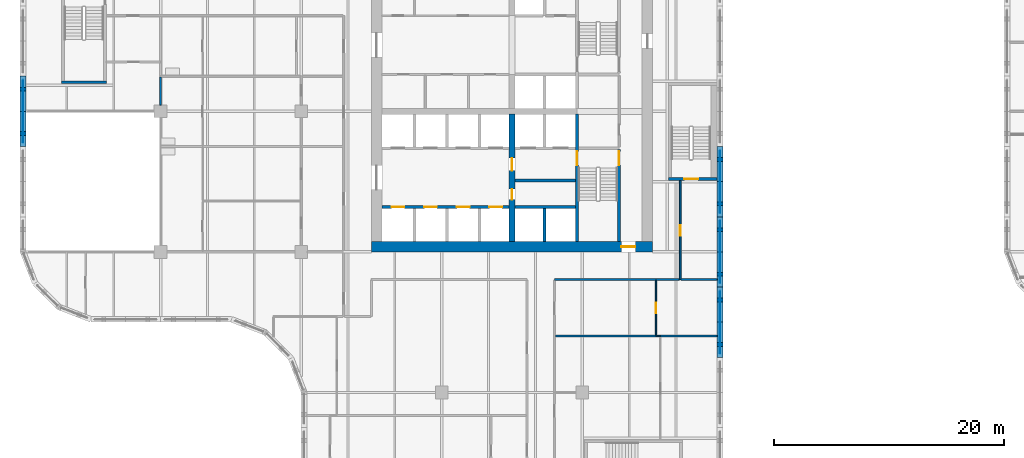
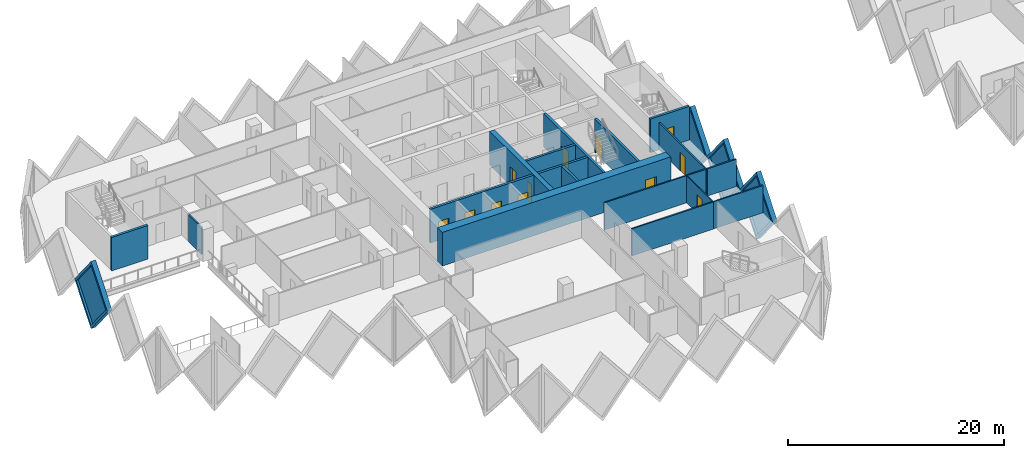
# One storey, part 7 of 20: 22 walls, 12 doors, 4 plates, 16 openings.
"""IFC4 building model written with IfcOpenShell, lengths in metres."""

from ifc_helpers import new_model, si_unit, direction, frame, frame_2d, origin, place, context, subcontext, project, spatial, polyline, rectangle, outline, extrude, faceted_brep, source, transform, mapped, material, layer, layer_set, type_object, element, fill, save


model = new_model("IFC4")

# Units and contexts
model_context = context("Model", 3, precision=1e-05, world=origin(), true_north=direction((0.0, 1.0)))
body_context = subcontext(model_context, "Body", "Model", "MODEL_VIEW")
ifc_project = project(units=[si_unit("LENGTHUNIT", "METRE"), si_unit("AREAUNIT", "SQUARE_METRE"), si_unit("VOLUMEUNIT", "CUBIC_METRE"), si_unit("PLANEANGLEUNIT", "RADIAN"), si_unit("MASSUNIT", "GRAM", prefix="KILO")], contexts=[model_context])

# Site, building, storey
site_placement = place(None, origin())
site = spatial("IfcSite", under=ifc_project, at=site_placement, CompositionType="ELEMENT")
building_placement = place(site_placement, origin())
building = spatial("IfcBuilding", under=site, at=building_placement, Name="Tessera Gate Towers", CompositionType="ELEMENT")
storey_placement = place(building_placement, frame((0.0, 0.0, 52.39990234375)))
storey = spatial("IfcBuildingStorey", under=building, at=storey_placement, Name="L12", CompositionType="ELEMENT", Elevation=52.39990234375)

# Wall, opening, door
ifc_material_1 = material(Name="Concrete C40/50", Category="concrete")
ifc_layer_1 = layer(ifc_material_1, 0.25)
ifc_layer_set_1 = layer_set([ifc_layer_1], Name="CORE ENCLOSURE WALL 250")
wall_type_1 = type_object("IfcWallType", Name="CORE ENCLOSURE WALL 250", PredefinedType="SOLIDWALL", material=ifc_layer_set_1)
wall_1_placement = place(storey_placement, frame((48.35009765625, 36.35009765625, 0.0), z_axis=(0.0, 0.0, 1.0), x_axis=(0.0, -1.0, 0.0)))
wall_1 = element("IfcWall", 1, at=wall_1_placement, inside=storey, type_object=wall_type_1, Name="L12 shaft and stair enclosure wall", PredefinedType="SOLIDWALL", context=body_context, shape_type="SweptSolid", body=[
    extrude(rectangle(XDim=11.050048828125, YDim=0.25, at=frame_2d((5.52490234375, 0.0))), origin(), (0.0, 0.0, 1.0), 3.800048828125),
])
shared_shape_1 = source(origin(), body_context, "Body", "SweptSolid", [
    extrude(rectangle(XDim=1.199951171875, YDim=2.10009765625, at=frame_2d((0.60009765625, 1.050048828125))), frame((0.0, 0.135009765625, 0.0), z_axis=(0.0, -1.0, 0.0), x_axis=(1.0, 0.0, 0.0)), (0.0, 0.0, 1.0), 0.27001953125),
])
opening_1_placement = place(wall_1_placement, frame((3.22509765625, 0.0, 0.0)))
opening_1 = element("IfcOpeningElement", 2, at=opening_1_placement, cuts=wall_1, Name="Opening SD-ST1-1", PredefinedType="OPENING", context=body_context, shape_type="MappedRepresentation", body=[
    mapped(shared_shape_1, transform((0.0, 0.0, 0.0), scale=1.0)),
])
ifc_material_2 = material(Name="Hollow steel fire door", Category="steel")
door_type_1 = type_object("IfcDoorType", Name="CORE DOOR SD 1200x2100", OperationType="NOTDEFINED", PredefinedType="DOOR", material=ifc_material_2)
shared_shape_2 = source(origin(), body_context, "Body", "SweptSolid", [
    extrude(rectangle(XDim=1.199951171875, YDim=2.10009765625, at=frame_2d((0.60009765625, 1.050048828125))), frame((0.0, 0.02490234375, 0.0), z_axis=(0.0, -1.0, 0.0), x_axis=(1.0, 0.0, 0.0)), (0.0, 0.0, 1.0), 0.050048828125),
])
door_1_placement = place(opening_1_placement, origin())
door_1 = element("IfcDoor", 3, at=door_1_placement, inside=storey, type_object=door_type_1, Name="Stair door", OperationType="SINGLE_SWING_LEFT", OverallHeight=2.10009765625, OverallWidth=1.199951171875, PredefinedType="DOOR", context=body_context, shape_type="MappedRepresentation", body=[
    mapped(shared_shape_2, transform((0.0, 0.0, 0.0), scale=1.0)),
])
fill(opening_1, door_1)

# Wall, openings, doors
wall_2_placement = place(storey_placement, frame((31.39990234375, 28.300048828125, 0.0), z_axis=(0.0, 0.0, 1.0), x_axis=(1.0, 0.0, 0.0)))
wall_2 = element("IfcWall", 4, at=wall_2_placement, inside=storey, type_object=wall_type_1, Name="L12 shaft and stair enclosure wall", PredefinedType="SOLIDWALL", context=body_context, shape_type="SweptSolid", body=[
    extrude(rectangle(XDim=11.050048828125, YDim=0.25, at=frame_2d((5.52490234375, 0.0))), origin(), (0.0, 0.0, 1.0), 3.800048828125),
])
shared_shape_3 = source(origin(), body_context, "Body", "SweptSolid", [
    extrude(rectangle(XDim=1.10009765625, YDim=2.10009765625, at=frame_2d((0.550048828125, 1.050048828125))), frame((0.0, 0.135009765625, 0.0), z_axis=(0.0, -1.0, 0.0), x_axis=(1.0, 0.0, 0.0)), (0.0, 0.0, 1.0), 0.27001953125),
])
opening_2_placement = place(wall_2_placement, frame((0.862548828125, 0.0, 0.0)))
opening_2 = element("IfcOpeningElement", 5, at=opening_2_placement, cuts=wall_2, Name="Opening LD-LR1", PredefinedType="OPENING", context=body_context, shape_type="MappedRepresentation", body=[
    mapped(shared_shape_3, transform((0.0, 0.0, 0.0), scale=1.0)),
])
opening_3_placement = place(wall_2_placement, frame((3.6875, 0.0, 0.0)))
opening_3 = element("IfcOpeningElement", 6, at=opening_3_placement, cuts=wall_2, Name="Opening LD-LR2", PredefinedType="OPENING", context=body_context, shape_type="MappedRepresentation", body=[
    mapped(shared_shape_3, transform((0.0, 0.0, 0.0), scale=1.0)),
])
opening_4_placement = place(wall_2_placement, frame((6.512451171875, 0.0, 0.0)))
opening_4 = element("IfcOpeningElement", 7, at=opening_4_placement, cuts=wall_2, Name="Opening LD-LR3", PredefinedType="OPENING", context=body_context, shape_type="MappedRepresentation", body=[
    mapped(shared_shape_3, transform((0.0, 0.0, 0.0), scale=1.0)),
])
opening_5_placement = place(wall_2_placement, frame((9.33740234375, 0.0, 0.0)))
opening_5 = element("IfcOpeningElement", 8, at=opening_5_placement, cuts=wall_2, Name="Opening LD-LR4", PredefinedType="OPENING", context=body_context, shape_type="MappedRepresentation", body=[
    mapped(shared_shape_3, transform((0.0, 0.0, 0.0), scale=1.0)),
])
ifc_material_3 = material(Name="Stainless steel", Category="steel")
door_type_2 = type_object("IfcDoorType", Name="CORE DOOR LD 1100x2100", OperationType="DOUBLE_DOOR_SLIDING", PredefinedType="DOOR", material=ifc_material_3)
shared_shape_4 = source(origin(), body_context, "Body", "SweptSolid", [
    extrude(rectangle(XDim=1.10009765625, YDim=2.10009765625, at=frame_2d((0.550048828125, 1.050048828125))), frame((0.0, 0.02490234375, 0.0), z_axis=(0.0, -1.0, 0.0), x_axis=(1.0, 0.0, 0.0)), (0.0, 0.0, 1.0), 0.050048828125),
])
door_2_placement = place(opening_2_placement, origin())
door_2 = element("IfcDoor", 9, at=door_2_placement, inside=storey, type_object=door_type_2, Name="Landing door LR1 L12", OperationType="DOUBLE_DOOR_SLIDING", OverallHeight=2.10009765625, OverallWidth=1.10009765625, PredefinedType="DOOR", context=body_context, shape_type="MappedRepresentation", body=[
    mapped(shared_shape_4, transform((0.0, 0.0, 0.0), scale=1.0)),
])
fill(opening_2, door_2)
door_3_placement = place(opening_3_placement, origin())
door_3 = element("IfcDoor", 10, at=door_3_placement, inside=storey, type_object=door_type_2, Name="Landing door LR2 L12", OperationType="DOUBLE_DOOR_SLIDING", OverallHeight=2.10009765625, OverallWidth=1.10009765625, PredefinedType="DOOR", context=body_context, shape_type="MappedRepresentation", body=[
    mapped(shared_shape_4, transform((0.0, 0.0, 0.0), scale=1.0)),
])
fill(opening_3, door_3)
door_4_placement = place(opening_4_placement, origin())
door_4 = element("IfcDoor", 11, at=door_4_placement, inside=storey, type_object=door_type_2, Name="Landing door LR3 L12", OperationType="DOUBLE_DOOR_SLIDING", OverallHeight=2.10009765625, OverallWidth=1.10009765625, PredefinedType="DOOR", context=body_context, shape_type="MappedRepresentation", body=[
    mapped(shared_shape_4, transform((0.0, 0.0, 0.0), scale=1.0)),
])
fill(opening_4, door_4)
door_5_placement = place(opening_5_placement, origin())
door_5 = element("IfcDoor", 12, at=door_5_placement, inside=storey, type_object=door_type_2, Name="Landing door LR4 L12", OperationType="DOUBLE_DOOR_SLIDING", OverallHeight=2.10009765625, OverallWidth=1.10009765625, PredefinedType="DOOR", context=body_context, shape_type="MappedRepresentation", body=[
    mapped(shared_shape_4, transform((0.0, 0.0, 0.0), scale=1.0)),
])
fill(opening_5, door_5)

# Wall
wall_3_placement = place(storey_placement, frame((42.949951171875, 28.300048828125, 0.0), z_axis=(0.0, 0.0, 1.0), x_axis=(1.0, 0.0, 0.0)))
element("IfcWall", 13, at=wall_3_placement, inside=storey, type_object=wall_type_1, Name="L12 shaft and stair enclosure wall", PredefinedType="SOLIDWALL", context=body_context, shape_type="SweptSolid", body=[
    extrude(rectangle(XDim=5.275146484375, YDim=0.25, at=frame_2d((2.6376953125, 0.0))), origin(), (0.0, 0.0, 1.0), 3.800048828125),
])

# Wall, opening, door
wall_4_placement = place(storey_placement, frame((52.0, 25.300048828125, 0.0), z_axis=(0.0, 0.0, 1.0), x_axis=(0.0, 1.0, 0.0)))
wall_4 = element("IfcWall", 14, at=wall_4_placement, inside=storey, type_object=wall_type_1, Name="L12 shaft and stair enclosure wall", PredefinedType="SOLIDWALL", context=body_context, shape_type="SweptSolid", body=[
    extrude(rectangle(XDim=7.974853515625, YDim=0.25, at=frame_2d((3.9873046875, 0.0))), origin(), (0.0, 0.0, 1.0), 3.800048828125),
])
opening_6_placement = place(wall_4_placement, frame((6.625, 0.0, 0.0)))
opening_6 = element("IfcOpeningElement", 15, at=opening_6_placement, cuts=wall_4, Name="Opening SD-ST1-2", PredefinedType="OPENING", context=body_context, shape_type="MappedRepresentation", body=[
    mapped(shared_shape_1, transform((0.0, 0.0, 0.0), scale=1.0)),
])
door_6_placement = place(opening_6_placement, origin())
door_6 = element("IfcDoor", 16, at=door_6_placement, inside=storey, type_object=door_type_1, Name="Stair door", OperationType="SINGLE_SWING_RIGHT", OverallHeight=2.10009765625, OverallWidth=1.199951171875, PredefinedType="DOOR", context=body_context, shape_type="MappedRepresentation", body=[
    mapped(shared_shape_2, transform((0.0, 0.0, 0.0), scale=1.0)),
])
fill(opening_6, door_6)

# Walls
wall_5_placement = place(storey_placement, frame((42.949951171875, 30.60009765625, 0.0), z_axis=(0.0, 0.0, 1.0), x_axis=(1.0, 0.0, 0.0)))
element("IfcWall", 17, at=wall_5_placement, inside=storey, type_object=wall_type_1, Name="L12 shaft and stair enclosure wall", PredefinedType="SOLIDWALL", context=body_context, shape_type="SweptSolid", body=[
    extrude(rectangle(XDim=5.275146484375, YDim=0.25, at=frame_2d((2.6376953125, 0.0))), origin(), (0.0, 0.0, 1.0), 3.800048828125),
])
wall_6_placement = place(storey_placement, frame((45.52490234375, 25.300048828125, 0.0), z_axis=(0.0, 0.0, 1.0), x_axis=(0.0, 1.0, 0.0)))
element("IfcWall", 18, at=wall_6_placement, inside=storey, type_object=wall_type_1, Name="L12 shaft and stair enclosure wall", PredefinedType="SOLIDWALL", context=body_context, shape_type="SweptSolid", body=[
    extrude(rectangle(XDim=2.875, YDim=0.25, at=frame_2d((1.4375, 0.0))), origin(), (0.0, 0.0, 1.0), 3.800048828125),
])
wall_7_placement = place(storey_placement, frame((7.5, 39.125, 0.0), z_axis=(0.0, 0.0, 1.0), x_axis=(-1.0, 0.0, 0.0)))
element("IfcWall", 19, at=wall_7_placement, inside=storey, type_object=wall_type_1, Name="L12 ST3 enclosure wall", PredefinedType="SOLIDWALL", context=body_context, shape_type="SweptSolid", body=[
    extrude(rectangle(XDim=3.89990234375, YDim=0.25, at=frame_2d((1.949951171875, 0.0))), origin(), (0.0, 0.0, 1.0), 3.800048828125),
])

# Wall, opening, door
wall_8_placement = place(storey_placement, frame((60.5, 30.72509765625, 0.0), z_axis=(0.0, 0.0, 1.0), x_axis=(-1.0, 0.0, 0.0)))
wall_8 = element("IfcWall", 20, at=wall_8_placement, inside=storey, type_object=wall_type_1, Name="L12 ST5 enclosure wall", PredefinedType="SOLIDWALL", context=body_context, shape_type="SweptSolid", body=[
    extrude(rectangle(XDim=4.199951171875, YDim=0.25, at=frame_2d((2.10009765625, 0.0))), origin(), (0.0, 0.0, 1.0), 3.800048828125),
])
opening_7_placement = place(wall_8_placement, frame((1.64990234375, 0.0, 0.0)))
opening_7 = element("IfcOpeningElement", 21, at=opening_7_placement, cuts=wall_8, Name="Opening SD-ST5-1", PredefinedType="OPENING", context=body_context, shape_type="MappedRepresentation", body=[
    mapped(shared_shape_1, transform((0.0, 0.0, 0.0), scale=1.0)),
])
door_7_placement = place(opening_7_placement, origin())
door_7 = element("IfcDoor", 22, at=door_7_placement, inside=storey, type_object=door_type_1, Name="Stair door", OperationType="SINGLE_SWING_RIGHT", OverallHeight=2.10009765625, OverallWidth=1.199951171875, PredefinedType="DOOR", context=body_context, shape_type="MappedRepresentation", body=[
    mapped(shared_shape_2, transform((0.0, 0.0, 0.0), scale=1.0)),
])
fill(opening_7, door_7)

ifc_material_4 = material(Name="Concrete C70/85", Category="concrete")
ifc_layer_2 = layer(ifc_material_4, 0.89990234375)
ifc_layer_set_2 = layer_set([ifc_layer_2], Name="CORE SHEAR WALL 900 C70/85")
wall_type_2 = type_object("IfcWallType", Name="CORE SHEAR WALL 900 C70/85", PredefinedType="SHEAR", material=ifc_layer_set_2)
wall_9_placement = place(storey_placement, frame((54.89990234375, 24.85009765625, 0.0), z_axis=(0.0, 0.0, 1.0), x_axis=(-1.0, 0.0, 0.0)))
wall_9 = element("IfcWall", 23, at=wall_9_placement, inside=storey, type_object=wall_type_2, Name="Core wall S L12", PredefinedType="SHEAR", context=body_context, shape_type="SweptSolid", body=[
    extrude(rectangle(XDim=24.39990234375, YDim=0.89990234375, at=frame_2d((12.199951171875, 0.0))), origin(), (0.0, 0.0, 1.0), 3.800048828125),
])
shared_shape_5 = source(origin(), body_context, "Body", "SweptSolid", [
    extrude(rectangle(XDim=1.199951171875, YDim=2.10009765625, at=frame_2d((0.60009765625, 1.050048828125))), frame((0.0, 0.4599609375, 0.0), z_axis=(0.0, -1.0, 0.0), x_axis=(1.0, 0.0, 0.0)), (0.0, 0.0, 1.0), 0.919921875),
])
opening_8_placement = place(wall_9_placement, frame((1.5, 0.0, 0.0)))
opening_8 = element("IfcOpeningElement", 24, at=opening_8_placement, cuts=wall_9, Name="Opening ED-T1-09-01", PredefinedType="OPENING", context=body_context, shape_type="MappedRepresentation", body=[
    mapped(shared_shape_5, transform((0.0, 0.0, 0.0), scale=1.0)),
])
ifc_material_5 = material(Name="Hollow steel fire door", Category="steel")
door_type_3 = type_object("IfcDoorType", Name="CORE DOOR ED 1200x2100", OperationType="NOTDEFINED", PredefinedType="DOOR", material=ifc_material_5)
door_8_placement = place(opening_8_placement, origin())
door_8 = element("IfcDoor", 25, at=door_8_placement, inside=storey, type_object=door_type_3, Name="Core exit door", OperationType="SINGLE_SWING_LEFT", OverallHeight=2.10009765625, OverallWidth=1.199951171875, PredefinedType="DOOR", context=body_context, shape_type="MappedRepresentation", body=[
    mapped(shared_shape_2, transform((0.0, 0.0, 0.0), scale=1.0)),
])
fill(opening_8, door_8)

# Wall, openings, doors
ifc_material_6 = material(Name="Concrete C70/85", Category="concrete")
ifc_layer_3 = layer(ifc_material_6, 0.5)
ifc_layer_set_3 = layer_set([ifc_layer_3], Name="CORE SPINE WALL 500 C70/85")
wall_type_3 = type_object("IfcWallType", Name="CORE SPINE WALL 500 C70/85", PredefinedType="SHEAR", material=ifc_layer_set_3)
wall_10_placement = place(storey_placement, frame((42.699951171875, 36.35009765625, 0.0), z_axis=(0.0, 0.0, 1.0), x_axis=(0.0, -1.0, 0.0)))
wall_10 = element("IfcWall", 26, at=wall_10_placement, inside=storey, type_object=wall_type_3, Name="Core wall spine L12", PredefinedType="SHEAR", context=body_context, shape_type="SweptSolid", body=[
    extrude(rectangle(XDim=11.050048828125, YDim=0.5, at=frame_2d((5.52490234375, 0.0))), origin(), (0.0, 0.0, 1.0), 3.800048828125),
])
shared_shape_6 = source(origin(), body_context, "Body", "SweptSolid", [
    extrude(rectangle(XDim=0.89990234375, YDim=2.10009765625, at=frame_2d((0.449951171875, 1.050048828125))), frame((0.0, 0.260009765625, 0.0), z_axis=(0.0, -1.0, 0.0), x_axis=(1.0, 0.0, 0.0)), (0.0, 0.0, 1.0), 0.52001953125),
])
opening_9_placement = place(wall_10_placement, frame((6.5, 0.0, 0.0)))
opening_9 = element("IfcOpeningElement", 27, at=opening_9_placement, cuts=wall_10, Name="Opening RD-T1-09-05", PredefinedType="OPENING", context=body_context, shape_type="MappedRepresentation", body=[
    mapped(shared_shape_6, transform((0.0, 0.0, 0.0), scale=1.0)),
])
shared_shape_7 = source(origin(), body_context, "Body", "SweptSolid", [
    extrude(rectangle(XDim=1.10009765625, YDim=2.10009765625, at=frame_2d((0.550048828125, 1.050048828125))), frame((0.0, 0.260009765625, 0.0), z_axis=(0.0, -1.0, 0.0), x_axis=(1.0, 0.0, 0.0)), (0.0, 0.0, 1.0), 0.52001953125),
])
opening_10_placement = place(wall_10_placement, frame((3.800048828125, 0.0, 0.0)))
opening_10 = element("IfcOpeningElement", 28, at=opening_10_placement, cuts=wall_10, Name="Opening FD-T1-09-06", PredefinedType="OPENING", context=body_context, shape_type="MappedRepresentation", body=[
    mapped(shared_shape_7, transform((0.0, 0.0, 0.0), scale=1.0)),
])
ifc_material_7 = material(Name="Hollow steel fire door", Category="steel")
door_type_4 = type_object("IfcDoorType", Name="CORE DOOR RD 900x2100", OperationType="NOTDEFINED", PredefinedType="DOOR", material=ifc_material_7)
shared_shape_8 = source(origin(), body_context, "Body", "SweptSolid", [
    extrude(rectangle(XDim=0.89990234375, YDim=2.10009765625, at=frame_2d((0.449951171875, 1.050048828125))), frame((0.0, 0.02490234375, 0.0), z_axis=(0.0, -1.0, 0.0), x_axis=(1.0, 0.0, 0.0)), (0.0, 0.0, 1.0), 0.050048828125),
])
door_9_placement = place(opening_9_placement, origin())
door_9 = element("IfcDoor", 29, at=door_9_placement, inside=storey, type_object=door_type_4, Name="Core room door", OperationType="SINGLE_SWING_RIGHT", OverallHeight=2.10009765625, OverallWidth=0.89990234375, PredefinedType="DOOR", context=body_context, shape_type="MappedRepresentation", body=[
    mapped(shared_shape_8, transform((0.0, 0.0, 0.0), scale=1.0)),
])
fill(opening_9, door_9)
ifc_material_8 = material(Name="Hollow steel fire door", Category="steel")
door_type_5 = type_object("IfcDoorType", Name="CORE DOOR FD 1100x2100", OperationType="NOTDEFINED", PredefinedType="DOOR", material=ifc_material_8)
door_10_placement = place(opening_10_placement, origin())
door_10 = element("IfcDoor", 30, at=door_10_placement, inside=storey, type_object=door_type_5, Name="Fire-fighting lobby door", OperationType="SINGLE_SWING_LEFT", OverallHeight=2.10009765625, OverallWidth=1.10009765625, PredefinedType="DOOR", context=body_context, shape_type="MappedRepresentation", body=[
    mapped(shared_shape_4, transform((0.0, 0.0, 0.0), scale=1.0)),
])
fill(opening_10, door_10)

# Wall
ifc_material_9 = material(Name="Gypsum board on steel studs, mineral wool", Category="steel")
ifc_layer_4 = layer(ifc_material_9, 0.14990234375)
ifc_layer_set_4 = layer_set([ifc_layer_4], Name="CORRIDOR WALL 150")
wall_type_4 = type_object("IfcWallType", Name="CORRIDOR WALL 150", PredefinedType="PARTITIONING", material=ifc_layer_set_4)
wall_11_placement = place(storey_placement, frame((46.39990234375, 22.0, 0.0), z_axis=(0.0, 0.0, 1.0), x_axis=(1.0, 0.0, 0.0)))
element("IfcWall", 31, at=wall_11_placement, inside=storey, type_object=wall_type_4, Name="T1-L12-PW-027", PredefinedType="PARTITIONING", context=body_context, shape_type="SweptSolid", body=[
    extrude(rectangle(XDim=10.82421875, YDim=0.14990234375, at=frame_2d((5.412109375, 0.0))), origin(), (0.0, 0.0, 1.0), 3.067138671875),
])

# Wall, opening, door
wall_12_placement = place(storey_placement, frame((57.300048828125, 30.60009765625, 0.0), z_axis=(0.0, 0.0, 1.0), x_axis=(0.0, -1.0, 0.0)))
wall_12 = element("IfcWall", 32, at=wall_12_placement, inside=storey, type_object=wall_type_4, Name="T1-L12-PW-028", PredefinedType="PARTITIONING", context=body_context, shape_type="SweptSolid", body=[
    extrude(rectangle(XDim=8.60009765625, YDim=0.14990234375, at=frame_2d((4.300048828125, 0.0))), origin(), (0.0, 0.0, 1.0), 3.067138671875),
])
shared_shape_9 = source(origin(), body_context, "Body", "SweptSolid", [
    extrude(rectangle(XDim=0.89990234375, YDim=2.10009765625, at=frame_2d((0.449951171875, 1.050048828125))), frame((0.0, 0.0849609375, 0.0), z_axis=(0.0, -1.0, 0.0), x_axis=(1.0, 0.0, 0.0)), (0.0, 0.0, 1.0), 0.169921875),
])
opening_11_placement = place(wall_12_placement, frame((3.89990234375, 0.0, 0.0)))
opening_11 = element("IfcOpeningElement", 33, at=opening_11_placement, cuts=wall_12, Name="Opening D890FD60-A04-02", PredefinedType="OPENING", context=body_context, shape_type="MappedRepresentation", body=[
    mapped(shared_shape_9, transform((0.0, 0.0, 0.0), scale=1.0)),
])
ifc_material_10 = material(Name="Timber door leaf in steel frame", Category="steel")
door_type_6 = type_object("IfcDoorType", Name="CORRIDOR DOOR 900 FD60", OperationType="NOTDEFINED", PredefinedType="DOOR", material=ifc_material_10)
door_11_placement = place(opening_11_placement, origin())
door_11 = element("IfcDoor", 34, at=door_11_placement, inside=storey, type_object=door_type_6, Name="T1-L12-PD-020", OperationType="SINGLE_SWING_RIGHT", OverallHeight=2.10009765625, OverallWidth=0.89990234375, PredefinedType="DOOR", context=body_context, shape_type="MappedRepresentation", body=[
    mapped(shared_shape_8, transform((0.0, 0.0, 0.0), scale=1.0)),
])
fill(opening_11, door_11)

# Wall
ifc_material_11 = material(Name="Glass", Category="glass")
ifc_layer_5 = layer(ifc_material_11, 0.10009765625)
ifc_layer_set_5 = layer_set([ifc_layer_5], Name="GLAZED PARTITION 100")
wall_type_5 = type_object("IfcWallType", Name="GLAZED PARTITION 100", PredefinedType="PARTITIONING", material=ifc_layer_set_5)
wall_13_placement = place(storey_placement, frame((55.200927734375, 17.10009765625, 0.0), z_axis=(0.0, 0.0, 1.0), x_axis=(1.0, 0.0, 0.0)))
element("IfcWall", 35, at=wall_13_placement, inside=storey, type_object=wall_type_5, Name="T1-L12-PW-017", PredefinedType="PARTITIONING", context=body_context, shape_type="SweptSolid", body=[
    extrude(rectangle(XDim=0.373046875, YDim=0.10009765625, at=frame_2d((0.1865234375, 0.0))), origin(), (0.0, 0.0, 1.0), 3.067138671875),
])

# Wall, opening, door
wall_14_placement = place(storey_placement, frame((55.199951171875, 21.924072265625, 0.0), z_axis=(0.0, 0.0, 1.0), x_axis=(0.0, -1.0, 0.0)))
wall_14 = element("IfcWall", 36, at=wall_14_placement, inside=storey, type_object=wall_type_5, Name="T1-L12-PW-019", PredefinedType="PARTITIONING", context=body_context, shape_type="SweptSolid", body=[
    extrude(rectangle(XDim=4.748046875, YDim=0.10009765625, at=frame_2d((2.3740234375, 0.0))), origin(), (0.0, 0.0, 1.0), 3.067138671875),
])
shared_shape_10 = source(origin(), body_context, "Body", "SweptSolid", [
    extrude(rectangle(XDim=0.89990234375, YDim=2.10009765625, at=frame_2d((0.449951171875, 1.050048828125))), frame((0.0, 0.06005859375, 0.0), z_axis=(0.0, -1.0, 0.0), x_axis=(1.0, 0.0, 0.0)), (0.0, 0.0, 1.0), 0.1201171875),
])
opening_12_placement = place(wall_14_placement, frame((1.947998046875, 0.0, 0.0)))
opening_12 = element("IfcOpeningElement", 37, at=opening_12_placement, cuts=wall_14, Name="Opening D690-A04-01", PredefinedType="OPENING", context=body_context, shape_type="MappedRepresentation", body=[
    mapped(shared_shape_10, transform((0.0, 0.0, 0.0), scale=1.0)),
])
ifc_material_12 = material(Name="Glass in aluminium frame", Category="aluminium")
door_type_7 = type_object("IfcDoorType", Name="GLAZED DOOR 900 NOT RATED", OperationType="NOTDEFINED", PredefinedType="DOOR", material=ifc_material_12)
door_12_placement = place(opening_12_placement, origin())
door_12 = element("IfcDoor", 38, at=door_12_placement, inside=storey, type_object=door_type_7, Name="T1-L12-PD-007", OperationType="SINGLE_SWING_RIGHT", OverallHeight=2.10009765625, OverallWidth=0.89990234375, PredefinedType="DOOR", context=body_context, shape_type="MappedRepresentation", body=[
    mapped(shared_shape_8, transform((0.0, 0.0, 0.0), scale=1.0)),
])
fill(opening_12, door_12)

# Walls
ifc_material_13 = material(Name="Gypsum board on steel studs, mineral wool", Category="steel")
ifc_layer_6 = layer(ifc_material_13, 0.14990234375)
ifc_layer_set_6 = layer_set([ifc_layer_6], Name="TENANCY WALL 150")
wall_type_6 = type_object("IfcWallType", Name="TENANCY WALL 150", PredefinedType="PARTITIONING", material=ifc_layer_set_6)
wall_15_placement = place(storey_placement, frame((46.47607421875, 17.10009765625, 0.0), z_axis=(0.0, 0.0, 1.0), x_axis=(1.0, 0.0, 0.0)))
element("IfcWall", 39, at=wall_15_placement, inside=storey, type_object=wall_type_6, Name="T1-L12-PW-016", PredefinedType="PARTITIONING", context=body_context, shape_type="SweptSolid", body=[
    extrude(rectangle(XDim=8.723876953125, YDim=0.14990234375, at=frame_2d((4.36181640625, 0.0))), origin(), (0.0, 0.0, 1.0), 3.067138671875),
])
wall_16_placement = place(storey_placement, frame((55.574951171875, 17.10009765625, 0.0), z_axis=(0.0, 0.0, 1.0), x_axis=(1.0, 0.0, 0.0)))
element("IfcWall", 40, at=wall_16_placement, inside=storey, type_object=wall_type_6, Name="T1-L12-PW-018", PredefinedType="PARTITIONING", context=body_context, shape_type="SweptSolid", body=[
    extrude(rectangle(XDim=4.925048828125, YDim=0.14990234375, at=frame_2d((2.46240234375, 0.0))), origin(), (0.0, 0.0, 1.0), 3.067138671875),
])
wall_17_placement = place(storey_placement, frame((57.3759765625, 22.0, 0.0), z_axis=(0.0, 0.0, 1.0), x_axis=(1.0, 0.0, 0.0)))
element("IfcWall", 41, at=wall_17_placement, inside=storey, type_object=wall_type_6, Name="T1-L12-PW-029", PredefinedType="PARTITIONING", context=body_context, shape_type="SweptSolid", body=[
    extrude(rectangle(XDim=3.1240234375, YDim=0.14990234375, at=frame_2d((1.56201171875, 0.0))), origin(), (0.0, 0.0, 1.0), 3.067138671875),
])
wall_18_placement = place(storey_placement, frame((12.199951171875, 37.15087890625, 0.0), z_axis=(0.0, 0.0, 1.0), x_axis=(0.0, 1.0, 0.0)))
element("IfcWall", 42, at=wall_18_placement, inside=storey, type_object=wall_type_6, Name="T1-L12-PW-039", PredefinedType="PARTITIONING", context=body_context, shape_type="SweptSolid", body=[
    extrude(rectangle(XDim=2.423095703125, YDim=0.14990234375, at=frame_2d((1.21142578125, 0.0))), origin(), (0.0, 0.0, 1.0), 3.067138671875),
])

# Wall, opening, plate
ifc_material_14 = material(Name="Precast concrete C60/75 white", Category="concrete")
ifc_layer_7 = layer(ifc_material_14, 0.5)
ifc_layer_set_7 = layer_set([ifc_layer_7], Name="TS1 tessera")
wall_type_7 = type_object("IfcWallType", Name="TS1 tessera", PredefinedType="SOLIDWALL", material=ifc_layer_set_7)
shared_shape_11 = source(origin(), body_context, "Body", "Brep", [
    faceted_brep([(3.050048828125, -0.25, 0.0), (6.099853515625, -0.25, 3.799560546875), (6.099853515625, -0.25, 3.800048828125), (3.050048828125, -0.25, 7.599853515625), (0.0, -0.25, 3.7998046875), (0.0, 0.25, 3.7998046875), (3.050048828125, 0.25, 7.599853515625), (6.099853515625, 0.25, 3.800048828125), (6.099853515625, 0.25, 3.799560546875), (3.050048828125, 0.25, 0.0)], [[[0, 1, 2, 3, 4]], [[5, 6, 7, 8, 9]], [[9, 8, 1, 0]], [[7, 6, 3, 2]], [[6, 5, 4, 3]], [[5, 9, 0, 4]], [[1, 8, 7, 2]]]),
])
wall_19_placement = place(storey_placement, frame((60.75, 21.35009765625, -3.7998046875), z_axis=(0.0, 0.0, 1.0), x_axis=(0.0, 1.0, 0.0)))
wall_19 = element("IfcWall", 43, at=wall_19_placement, inside=storey, type_object=wall_type_7, Name="Precast tessera T1 TS1-0167", PredefinedType="SOLIDWALL", context=body_context, shape_type="MappedRepresentation", body=[
    mapped(shared_shape_11, transform((0.0, 0.0, 0.0), scale=1.0)),
])
shared_shape_12 = source(origin(), body_context, "Body", "SweptSolid", [
    extrude(outline(polyline([(3.050048828125, 0.3994140625), (5.779541015625, 3.7998046875), (3.050048828125, 7.200439453125), (0.320556640625, 3.7998046875), (3.050048828125, 0.3994140625)])), frame((0.0, 0.260009765625, 0.0), z_axis=(0.0, -1.0, 0.0), x_axis=(1.0, 0.0, 0.0)), (0.0, 0.0, 1.0), 0.52001953125),
])
opening_13_placement = place(wall_19_placement, origin())
opening_13 = element("IfcOpeningElement", 44, at=opening_13_placement, cuts=wall_19, Name="Opening T1-PL2-0339", PredefinedType="OPENING", context=body_context, shape_type="MappedRepresentation", body=[
    mapped(shared_shape_12, transform((0.0, 0.0, 0.0), scale=1.0)),
])
ifc_material_15 = material(Name="Low-e laminated glass", Category="glass")
ifc_layer_8 = layer(ifc_material_15, 0.06005859375)
ifc_layer_set_8 = layer_set([ifc_layer_8], Name="PL2 rhombic pane")
plate_type = type_object("IfcPlateType", Name="PL2 rhombic pane", PredefinedType="SHEET", material=ifc_layer_set_8)
shared_shape_13 = source(origin(), body_context, "Body", "SweptSolid", [
    extrude(outline(polyline([(3.050048828125, 0.3994140625), (5.779541015625, 3.7998046875), (3.050048828125, 7.200439453125), (0.320556640625, 3.7998046875), (3.050048828125, 0.3994140625)])), frame((0.0, 0.030029296875, 0.0), z_axis=(0.0, -1.0, 0.0), x_axis=(1.0, 0.0, 0.0)), (0.0, 0.0, 1.0), 0.06005859375),
])
plate_1_placement = place(opening_13_placement, origin())
plate_1 = element("IfcPlate", 45, at=plate_1_placement, inside=storey, type_object=plate_type, Name="Glass pane T1 PL2-0339", PredefinedType="SHEET", context=body_context, shape_type="MappedRepresentation", body=[
    mapped(shared_shape_13, transform((0.0, 0.0, 0.0), scale=1.0)),
])
fill(opening_13, plate_1)

wall_20_placement = place(storey_placement, frame((0.25, 39.64990234375, -3.7998046875), z_axis=(0.0, 0.0, 1.0), x_axis=(0.0, -1.0, 0.0)))
wall_20 = element("IfcWall", 46, at=wall_20_placement, inside=storey, type_object=wall_type_7, Name="Precast tessera T1 TS1-0180", PredefinedType="SOLIDWALL", context=body_context, shape_type="MappedRepresentation", body=[
    mapped(shared_shape_11, transform((0.0, 0.0, 0.0), scale=1.0)),
])
opening_14_placement = place(wall_20_placement, origin())
opening_14 = element("IfcOpeningElement", 47, at=opening_14_placement, cuts=wall_20, Name="Opening T1-PL2-0360", PredefinedType="OPENING", context=body_context, shape_type="MappedRepresentation", body=[
    mapped(shared_shape_12, transform((0.0, 0.0, 0.0), scale=1.0)),
])
plate_2_placement = place(opening_14_placement, origin())
plate_2 = element("IfcPlate", 48, at=plate_2_placement, inside=storey, type_object=plate_type, Name="Glass pane T1 PL2-0360", PredefinedType="SHEET", context=body_context, shape_type="MappedRepresentation", body=[
    mapped(shared_shape_13, transform((0.0, 0.0, 0.0), scale=1.0)),
])
fill(opening_14, plate_2)

shared_shape_14 = source(origin(), body_context, "Body", "SweptSolid", [
    extrude(outline(polyline([(3.050048828125, 0.0), (6.10009765625, 3.7998046875), (3.050048828125, 7.599853515625), (0.0, 3.7998046875), (3.050048828125, 0.0)])), frame((0.0, 0.25, 0.0), z_axis=(0.0, -1.0, 0.0), x_axis=(1.0, 0.0, 0.0)), (0.0, 0.0, 1.0), 0.5),
])
wall_21_placement = place(storey_placement, frame((60.75, 15.25, -3.7998046875), z_axis=(0.0, 0.0, 1.0), x_axis=(0.0, 1.0, 0.0)))
wall_21 = element("IfcWall", 49, at=wall_21_placement, inside=storey, type_object=wall_type_7, Name="Precast tessera T1 TS1-0166", PredefinedType="SOLIDWALL", context=body_context, shape_type="MappedRepresentation", body=[
    mapped(shared_shape_14, transform((0.0, 0.0, 0.0), scale=1.0)),
])
opening_15_placement = place(wall_21_placement, origin())
opening_15 = element("IfcOpeningElement", 50, at=opening_15_placement, cuts=wall_21, Name="Opening T1-PL2-0338", PredefinedType="OPENING", context=body_context, shape_type="MappedRepresentation", body=[
    mapped(shared_shape_12, transform((0.0, 0.0, 0.0), scale=1.0)),
])
plate_3_placement = place(opening_15_placement, origin())
plate_3 = element("IfcPlate", 51, at=plate_3_placement, inside=storey, type_object=plate_type, Name="Glass pane T1 PL2-0338", PredefinedType="SHEET", context=body_context, shape_type="MappedRepresentation", body=[
    mapped(shared_shape_13, transform((0.0, 0.0, 0.0), scale=1.0)),
])
fill(opening_15, plate_3)

wall_22_placement = place(storey_placement, frame((60.75, 27.449951171875, -3.7998046875), z_axis=(0.0, 0.0, 1.0), x_axis=(0.0, 1.0, 0.0)))
wall_22 = element("IfcWall", 52, at=wall_22_placement, inside=storey, type_object=wall_type_7, Name="Precast tessera T1 TS1-0168", PredefinedType="SOLIDWALL", context=body_context, shape_type="MappedRepresentation", body=[
    mapped(shared_shape_14, transform((0.0, 0.0, 0.0), scale=1.0)),
])
opening_16_placement = place(wall_22_placement, origin())
opening_16 = element("IfcOpeningElement", 53, at=opening_16_placement, cuts=wall_22, Name="Opening T1-PL2-0340", PredefinedType="OPENING", context=body_context, shape_type="MappedRepresentation", body=[
    mapped(shared_shape_12, transform((0.0, 0.0, 0.0), scale=1.0)),
])
plate_4_placement = place(opening_16_placement, origin())
plate_4 = element("IfcPlate", 54, at=plate_4_placement, inside=storey, type_object=plate_type, Name="Glass pane T1 PL2-0340", PredefinedType="SHEET", context=body_context, shape_type="MappedRepresentation", body=[
    mapped(shared_shape_13, transform((0.0, 0.0, 0.0), scale=1.0)),
])
fill(opening_16, plate_4)

save(model, "model.ifc")
